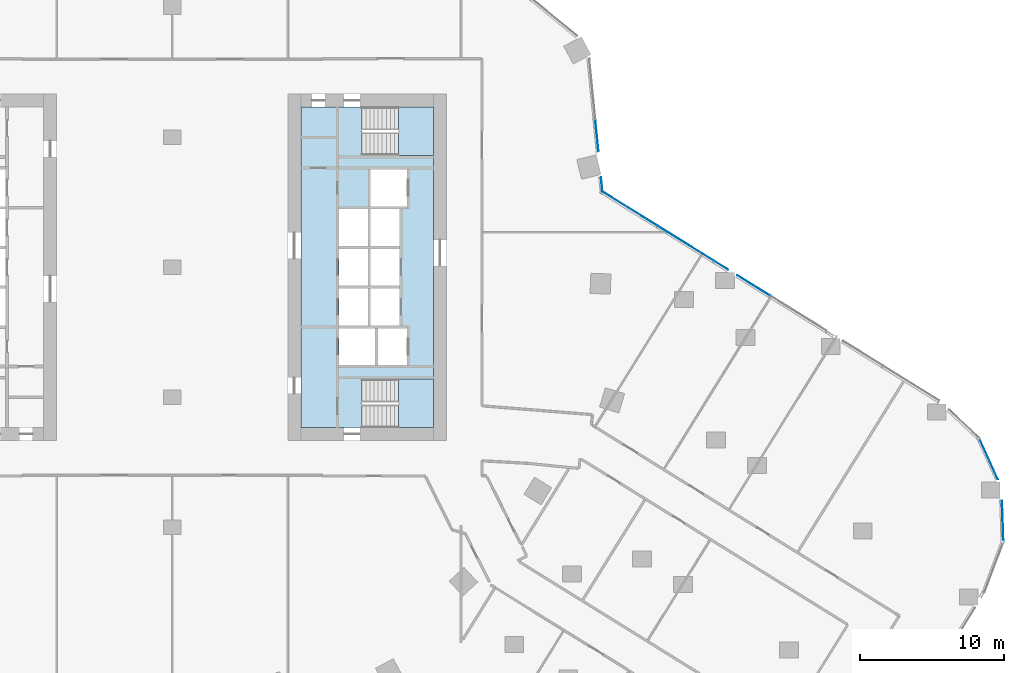
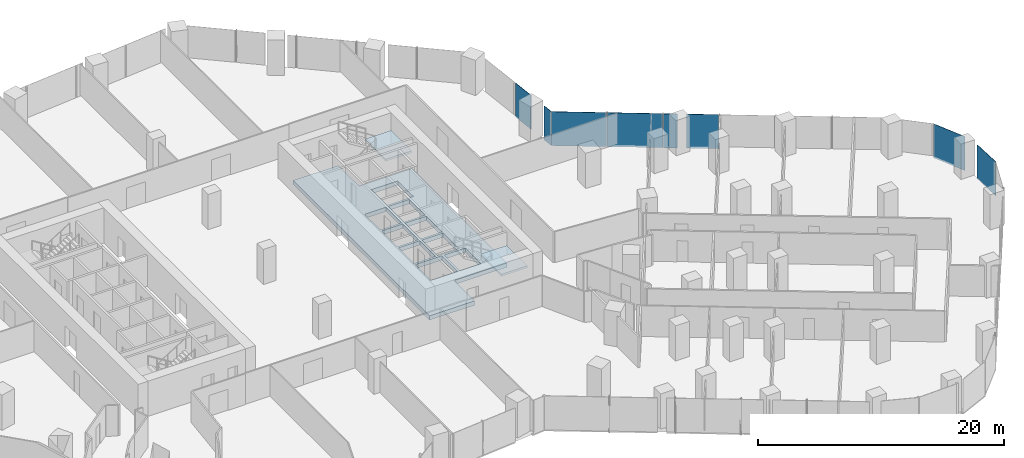
# One storey, part 23 of 34: 8 plates, 3 slabs, 6 elements without a shape of their own.
"""IFC4 building model written with IfcOpenShell, lengths in metres."""

from ifc_helpers import new_model, si_unit, direction, frame, origin, origin_2d, place, context, subcontext, project, spatial, polyline, rectangle, outline, extrude, material, layer, layer_set, type_object, element, aggregate, save


model = new_model("IFC4")

# Units and contexts
model_context = context("Model", 3, precision=1e-05, world=origin(), true_north=direction((0.0, 1.0)))
body_context = subcontext(model_context, "Body", "Model", "MODEL_VIEW")
ifc_project = project(units=[si_unit("LENGTHUNIT", "METRE"), si_unit("AREAUNIT", "SQUARE_METRE"), si_unit("VOLUMEUNIT", "CUBIC_METRE"), si_unit("PLANEANGLEUNIT", "RADIAN"), si_unit("MASSUNIT", "GRAM", prefix="KILO")], contexts=[model_context])

# Site, building, storey
site_placement = place(None, origin())
site = spatial("IfcSite", under=ifc_project, at=site_placement, CompositionType="ELEMENT")
building_placement = place(site_placement, origin())
building = spatial("IfcBuilding", under=site, at=building_placement, Name="Orlundy Tower", CompositionType="ELEMENT")
storey_placement = place(building_placement, frame((0.0, 0.0, 40.800048828125)))
storey = spatial("IfcBuildingStorey", under=building, at=storey_placement, Name="L08", CompositionType="ELEMENT", Elevation=40.800048828125)

# Curtain wall, plates
ifc_material_1 = material(Name="Aluminium bronze anodised", Category="aluminium")
curtain_wall_type = type_object("IfcCurtainWallType", Name="CW1 wall", PredefinedType="NOTDEFINED", material=ifc_material_1)
curtain_wall_1_placement = place(storey_placement, origin())
curtain_wall_1 = element("IfcCurtainWall", 1, at=curtain_wall_1_placement, inside=storey, type_object=curtain_wall_type, Name="CW1 run 05", PredefinedType="NOTDEFINED")
ifc_material_2 = material(Name="Tinted glass", Category="glass")
ifc_layer_1 = layer(ifc_material_2, 0.031982421875)
ifc_layer_set_1 = layer_set([ifc_layer_1], Name="CW1 glass panel 32")
plate_type = type_object("IfcPlateType", Name="CW1 glass panel 32", PredefinedType="CURTAIN_PANEL", material=ifc_layer_set_1)
plate_1_placement = place(storey_placement, frame((29.40625, 9.1259765625, -0.300048828125), z_axis=(0.0, 0.0, 1.0), x_axis=(0.098758968204, -0.995111383815, 0.0)))
plate_1 = element("IfcPlate", 2, at=plate_1_placement, type_object=plate_type, Name="CW1 panel", PredefinedType="CURTAIN_PANEL", context=body_context, shape_type="SweptSolid", body=[
    extrude(rectangle(XDim=2.210205078125, YDim=0.031982421875, at=origin_2d()), origin(), (0.0, 0.0, 1.0), 3.3798828125),
])
plate_2_placement = place(storey_placement, frame((29.74365234375, 5.72802734375, -0.300048828125), z_axis=(0.0, 0.0, 1.0), x_axis=(0.098758968204, -0.995111383815, 0.0)))
plate_2 = element("IfcPlate", 3, at=plate_2_placement, type_object=plate_type, Name="CW1 panel", PredefinedType="CURTAIN_PANEL", context=body_context, shape_type="SweptSolid", body=[
    extrude(rectangle(XDim=0.9853515625, YDim=0.031982421875, at=origin_2d()), origin(), (0.0, 0.0, 1.0), 3.3798828125),
])
aggregate(curtain_wall_1, [plate_1, plate_2])

curtain_wall_2_placement = place(storey_placement, origin())
curtain_wall_2 = element("IfcCurtainWall", 4, at=curtain_wall_2_placement, inside=storey, type_object=curtain_wall_type, Name="CW1 run 06", PredefinedType="NOTDEFINED")
plate_3_placement = place(storey_placement, frame((31.696533203125, 4.055419921875, -0.300048828125), z_axis=(0.0, 0.0, 1.0), x_axis=(0.849584043137, -0.527453271529, 0.0)))
plate_3 = element("IfcPlate", 5, at=plate_3_placement, type_object=plate_type, Name="CW1 panel", PredefinedType="CURTAIN_PANEL", context=body_context, shape_type="SweptSolid", body=[
    extrude(rectangle(XDim=4.48291015625, YDim=0.031982421875, at=origin_2d()), origin(), (0.0, 0.0, 1.0), 3.3798828125),
])
plate_4_placement = place(storey_placement, frame((35.5712890625, 1.64990234375, -0.300048828125), z_axis=(0.0, 0.0, 1.0), x_axis=(0.849584043137, -0.527453271529, 0.0)))
plate_4 = element("IfcPlate", 6, at=plate_4_placement, type_object=plate_type, Name="CW1 panel", PredefinedType="CURTAIN_PANEL", context=body_context, shape_type="SweptSolid", body=[
    extrude(rectangle(XDim=4.538818359375, YDim=0.031982421875, at=origin_2d()), origin(), (0.0, 0.0, 1.0), 3.3798828125),
])
plate_5_placement = place(storey_placement, frame((38.025390625, 0.126220703125, -0.300048828125), z_axis=(0.0, 0.0, 1.0), x_axis=(0.849584043137, -0.527453271529, 0.0)))
plate_5 = element("IfcPlate", 7, at=plate_5_placement, type_object=plate_type, Name="CW1 panel", PredefinedType="CURTAIN_PANEL", context=body_context, shape_type="SweptSolid", body=[
    extrude(rectangle(XDim=1.138427734375, YDim=0.031982421875, at=origin_2d()), origin(), (0.0, 0.0, 1.0), 3.3798828125),
])
plate_6_placement = place(storey_placement, frame((40.25830078125, -1.260009765625, -0.300048828125), z_axis=(0.0, 0.0, 1.0), x_axis=(0.849584043137, -0.527453271529, 0.0)))
plate_6 = element("IfcPlate", 8, at=plate_6_placement, type_object=plate_type, Name="CW1 panel", PredefinedType="CURTAIN_PANEL", context=body_context, shape_type="SweptSolid", body=[
    extrude(rectangle(XDim=2.68212890625, YDim=0.031982421875, at=origin_2d()), origin(), (0.0, 0.0, 1.0), 3.3798828125),
])
aggregate(curtain_wall_2, [plate_3, plate_4, plate_5, plate_6])

# Curtain wall, plate
curtain_wall_3_placement = place(storey_placement, origin())
curtain_wall_3 = element("IfcCurtainWall", 9, at=curtain_wall_3_placement, inside=storey, type_object=curtain_wall_type, Name="CW1 run 08", PredefinedType="NOTDEFINED")
plate_7_placement = place(storey_placement, frame((56.520751953125, -13.245361328125, -0.300048828125), z_axis=(0.0, 0.0, 1.0), x_axis=(0.413335357608, -0.91057887201, 0.0)))
plate_7 = element("IfcPlate", 10, at=plate_7_placement, type_object=plate_type, Name="CW1 panel", PredefinedType="CURTAIN_PANEL", context=body_context, shape_type="SweptSolid", body=[
    extrude(rectangle(XDim=3.140380859375, YDim=0.031982421875, at=origin_2d()), origin(), (0.0, 0.0, 1.0), 3.3798828125),
])
aggregate(curtain_wall_3, [plate_7])

curtain_wall_4_placement = place(storey_placement, origin())
curtain_wall_4 = element("IfcCurtainWall", 11, at=curtain_wall_4_placement, inside=storey, type_object=curtain_wall_type, Name="CW1 run 09", PredefinedType="NOTDEFINED")
plate_8_placement = place(storey_placement, frame((57.50927734375, -17.59765625, -0.300048828125), z_axis=(0.0, 0.0, 1.0), x_axis=(0.033449557474, -0.99944040698, 0.0)))
plate_8 = element("IfcPlate", 12, at=plate_8_placement, type_object=plate_type, Name="CW1 panel", PredefinedType="CURTAIN_PANEL", context=body_context, shape_type="SweptSolid", body=[
    extrude(rectangle(XDim=2.8466796875, YDim=0.031982421875, at=origin_2d()), origin(), (0.0, 0.0, 1.0), 3.3798828125),
])
aggregate(curtain_wall_4, [plate_8])

# Slab
ifc_material_3 = material(Name="Concrete C50/60", Category="concrete")
ifc_layer_2 = layer(ifc_material_3, 0.419921875)
ifc_layer_set_2 = layer_set([ifc_layer_2], Name="Core Floor Slab 420")
slab_type_1 = type_object("IfcSlabType", Name="Core Floor Slab 420", PredefinedType="FLOOR", material=ifc_layer_set_2)
slab_1_placement = place(storey_placement, frame((0.0, 0.0, -0.420166015625)))
element("IfcSlab", 13, at=slab_1_placement, inside=storey, type_object=slab_type_1, Name="Core floor E09", PredefinedType="FLOOR", context=body_context, shape_type="SweptSolid", body=[
    extrude(outline(polyline([(13.14501953125, -7.75), (13.14501953125, -11.10009765625), (8.89990234375, -11.10009765625), (8.89990234375, 11.10009765625), (13.14501953125, 11.10009765625), (13.14501953125, 7.75), (18.10009765625, 7.75), (18.10009765625, -7.75), (13.14501953125, -7.75)]), holes=[polyline([(16.239990234375, 6.77490234375), (13.739990234375, 6.77490234375), (13.739990234375, 4.22509765625), (16.239990234375, 4.22509765625), (16.239990234375, 6.77490234375)]), polyline([(13.5400390625, 1.47509765625), (13.5400390625, 4.02490234375), (11.5400390625, 4.02490234375), (11.5400390625, 1.47509765625), (13.5400390625, 1.47509765625)]), polyline([(13.739990234375, 1.47509765625), (15.739990234375, 1.47509765625), (15.739990234375, 4.02490234375), (13.739990234375, 4.02490234375), (13.739990234375, 1.47509765625)]), polyline([(11.5400390625, 1.27490234375), (11.5400390625, -1.27490234375), (13.5400390625, -1.27490234375), (13.5400390625, 1.27490234375), (11.5400390625, 1.27490234375)]), polyline([(15.739990234375, 1.27490234375), (13.739990234375, 1.27490234375), (13.739990234375, -1.27490234375), (15.739990234375, -1.27490234375), (15.739990234375, 1.27490234375)]), polyline([(13.5400390625, -4.02490234375), (13.5400390625, -1.47509765625), (11.5400390625, -1.47509765625), (11.5400390625, -4.02490234375), (13.5400390625, -4.02490234375)]), polyline([(13.739990234375, -4.02490234375), (15.739990234375, -4.02490234375), (15.739990234375, -1.47509765625), (13.739990234375, -1.47509765625), (13.739990234375, -4.02490234375)]), polyline([(11.5400390625, -4.22509765625), (11.5400390625, -6.77490234375), (14.0400390625, -6.77490234375), (14.0400390625, -4.22509765625), (11.5400390625, -4.22509765625)]), polyline([(16.239990234375, -4.22509765625), (14.239990234375, -4.22509765625), (14.239990234375, -6.77490234375), (16.239990234375, -6.77490234375), (16.239990234375, -4.22509765625)])]), origin(), (0.0, 0.0, 1.0), 0.420166015625),
])

# Stair, slab
ifc_material_4 = material(Name="Concrete C50/60", Category="concrete")
stair_type = type_object("IfcStairType", Name="Exit Stair 20 risers", PredefinedType="HALF_TURN_STAIR", material=ifc_material_4)
stair_1_placement = place(storey_placement, origin())
stair_1 = element("IfcStair", 14, at=stair_1_placement, inside=storey, type_object=stair_type, Name="L08 Exit Stair ST-E1", PredefinedType="HALF_TURN_STAIR")
ifc_material_5 = material(Name="Concrete C50/60", Category="concrete")
ifc_layer_3 = layer(ifc_material_5, 0.199951171875)
ifc_layer_set_3 = layer_set([ifc_layer_3], Name="Exit Stair Landing")
slab_type_2 = type_object("IfcSlabType", Name="Exit Stair Landing", PredefinedType="LANDING", material=ifc_layer_set_3)
slab_2_placement = place(storey_placement, frame((0.0, 0.0, 1.550048828125)))
slab_2 = element("IfcSlab", 15, at=slab_2_placement, type_object=slab_type_2, Name="ST-E1 landing 1", PredefinedType="LANDING", context=body_context, shape_type="SweptSolid", body=[
    extrude(outline(polyline([(15.659912109375, -11.10009765625), (18.10009765625, -11.10009765625), (18.10009765625, -7.75), (15.659912109375, -7.75), (15.659912109375, -11.10009765625)])), origin(), (0.0, 0.0, 1.0), 0.199951171875),
])
aggregate(stair_1, [slab_2])

stair_2_placement = place(storey_placement, origin())
stair_2 = element("IfcStair", 16, at=stair_2_placement, inside=storey, type_object=stair_type, Name="L08 Exit Stair ST-E2", PredefinedType="HALF_TURN_STAIR")
slab_3_placement = place(storey_placement, frame((0.0, 0.0, 1.550048828125)))
slab_3 = element("IfcSlab", 17, at=slab_3_placement, type_object=slab_type_2, Name="ST-E2 landing 1", PredefinedType="LANDING", context=body_context, shape_type="SweptSolid", body=[
    extrude(outline(polyline([(15.659912109375, 7.75), (18.10009765625, 7.75), (18.10009765625, 11.10009765625), (15.659912109375, 11.10009765625), (15.659912109375, 7.75)])), origin(), (0.0, 0.0, 1.0), 0.199951171875),
])
aggregate(stair_2, [slab_3])

save(model, "model.ifc")
